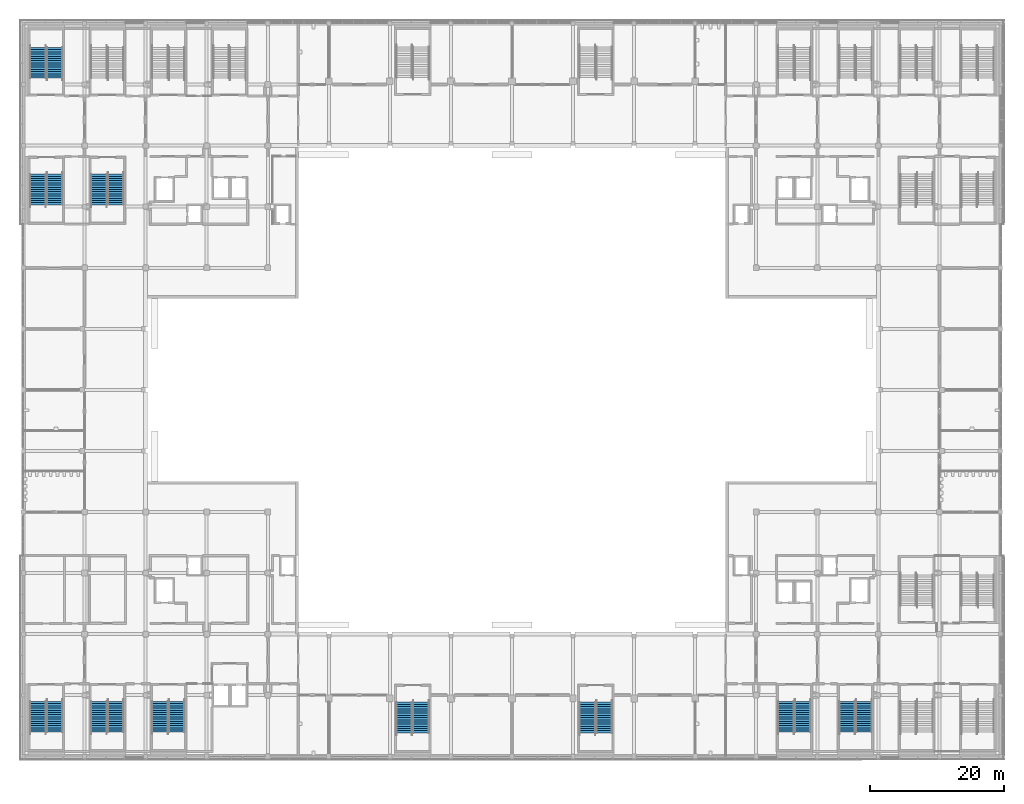
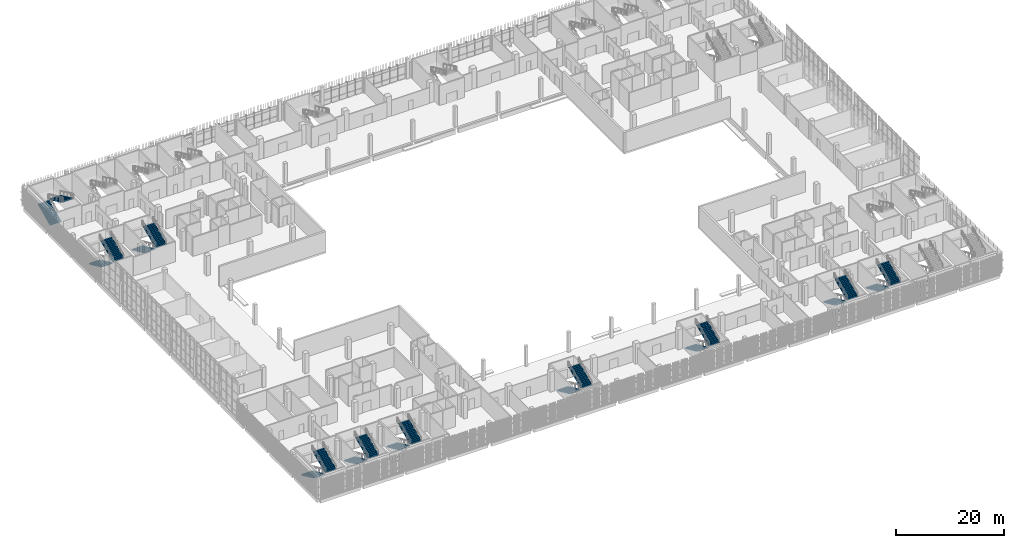
# One storey, part 89 of 126: 20 stair flights, 10 elements without a shape of their own.
"""IFC4 building model written with IfcOpenShell, lengths in metres."""

from ifc_helpers import new_model, si_unit, direction, frame, origin, place, context, subcontext, project, spatial, polyline, outline, extrude, material, type_object, element, aggregate, save


model = new_model("IFC4")

# Units and contexts
model_context = context("Model", 3, precision=1e-05, world=origin(), true_north=direction((0.0, 1.0)))
body_context = subcontext(model_context, "Body", "Model", "MODEL_VIEW")
ifc_project = project(units=[si_unit("LENGTHUNIT", "METRE"), si_unit("AREAUNIT", "SQUARE_METRE"), si_unit("VOLUMEUNIT", "CUBIC_METRE"), si_unit("PLANEANGLEUNIT", "RADIAN"), si_unit("MASSUNIT", "GRAM", prefix="KILO")], contexts=[model_context])

# Site, building, storey
site_placement = place(None, origin())
site = spatial("IfcSite", under=ifc_project, at=site_placement, CompositionType="ELEMENT")
building_placement = place(site_placement, origin())
building = spatial("IfcBuilding", under=site, at=building_placement, Name="Shirokan Park Arena", CompositionType="ELEMENT")
storey_placement = place(building_placement, frame((0.0, 0.0, 6.3701171875)))
storey = spatial("IfcBuildingStorey", under=building, at=storey_placement, Name="L01", CompositionType="ELEMENT", Elevation=6.3701171875)

# Stair, stair flights
ifc_material = material(Name="Concrete C30 precast", Category="concrete")
stair_type = type_object("IfcStairType", Name="Stair 30 risers 152 x 327 2400 wide", PredefinedType="TWO_STRAIGHT_RUN_STAIR", material=ifc_material)
stair_1_placement = place(storey_placement, origin())
stair_1 = element("IfcStair", 1, at=stair_1_placement, inside=storey, type_object=stair_type, Name="Exit Stair 1.A L01 to L02", PredefinedType="TWO_STRAIGHT_RUN_STAIR")
stair_flight_type = type_object("IfcStairFlightType", Name="Stair flight 15 risers 152 x 327 2400 wide", PredefinedType="STRAIGHT", material=ifc_material)
stair_flight_1_placement = place(storey_placement, frame((2.14990234375, 8.14990234375, 0.0), z_axis=(0.0, 0.0, 1.0), x_axis=(0.0, -1.0, 0.0)))
stair_flight_1 = element("IfcStairFlight", 2, at=stair_flight_1_placement, type_object=stair_flight_type, Name="ST01.2 flight 1", NumberOfRisers=15, NumberOfTreads=14, PredefinedType="STRAIGHT", RiserHeight=0.151666667, TreadLength=0.3267, context=body_context, shape_type="SweptSolid", body=[
    extrude(outline(polyline([(0.0, 0.0), (0.0, 0.151611328125), (0.32666015625, 0.151611328125), (0.32666015625, 0.30322265625), (0.6533203125, 0.30322265625), (0.6533203125, 0.455078125), (0.97998046875, 0.455078125), (0.97998046875, 0.606689453125), (1.306884765625, 0.606689453125), (1.306884765625, 0.75830078125), (1.633544921875, 0.75830078125), (1.633544921875, 0.909912109375), (1.960205078125, 0.909912109375), (1.960205078125, 1.061767578125), (2.286865234375, 1.061767578125), (2.286865234375, 1.21337890625), (2.613525390625, 1.21337890625), (2.613525390625, 1.364990234375), (2.940185546875, 1.364990234375), (2.940185546875, 1.5166015625), (3.26708984375, 1.5166015625), (3.26708984375, 1.668212890625), (3.59375, 1.668212890625), (3.59375, 1.820068359375), (3.92041015625, 1.820068359375), (3.92041015625, 1.9716796875), (4.2470703125, 1.9716796875), (4.2470703125, 2.123291015625), (4.57373046875, 2.123291015625), (4.57373046875, 2.27490234375), (4.57373046875, 1.9580078125), (0.35595703125, 0.0), (0.0, 0.0)])), frame((0.0, 1.199951171875, 0.0), z_axis=(0.0, -1.0, 0.0), x_axis=(1.0, 0.0, 0.0)), (0.0, 0.0, 1.0), 2.39990234375),
])
stair_flight_2_placement = place(storey_placement, frame((4.64990234375, 3.576171875, 2.27490234375), z_axis=(0.0, 0.0, 1.0), x_axis=(0.0, 1.0, 0.0)))
stair_flight_2 = element("IfcStairFlight", 3, at=stair_flight_2_placement, type_object=stair_flight_type, Name="ST01.2 flight 2", NumberOfRisers=15, NumberOfTreads=14, PredefinedType="STRAIGHT", RiserHeight=0.151666667, TreadLength=0.3267, context=body_context, shape_type="SweptSolid", body=[
    extrude(outline(polyline([(0.0, 0.0), (0.0, 0.151611328125), (0.32666015625, 0.151611328125), (0.32666015625, 0.30322265625), (0.6533203125, 0.30322265625), (0.6533203125, 0.455078125), (0.97998046875, 0.455078125), (0.97998046875, 0.606689453125), (1.306884765625, 0.606689453125), (1.306884765625, 0.75830078125), (1.633544921875, 0.75830078125), (1.633544921875, 0.909912109375), (1.960205078125, 0.909912109375), (1.960205078125, 1.061767578125), (2.286865234375, 1.061767578125), (2.286865234375, 1.21337890625), (2.613525390625, 1.21337890625), (2.613525390625, 1.364990234375), (2.940185546875, 1.364990234375), (2.940185546875, 1.5166015625), (3.26708984375, 1.5166015625), (3.26708984375, 1.668212890625), (3.59375, 1.668212890625), (3.59375, 1.820068359375), (3.92041015625, 1.820068359375), (3.92041015625, 1.9716796875), (4.2470703125, 1.9716796875), (4.2470703125, 2.123291015625), (4.57373046875, 2.123291015625), (4.57373046875, 2.27490234375), (4.57373046875, 1.9580078125), (0.35595703125, 0.0), (0.0, 0.0)])), frame((0.0, 1.199951171875, 0.0), z_axis=(0.0, -1.0, 0.0), x_axis=(1.0, 0.0, 0.0)), (0.0, 0.0, 1.0), 2.39990234375),
])
aggregate(stair_1, [stair_flight_1, stair_flight_2])

stair_2_placement = place(storey_placement, origin())
stair_2 = element("IfcStair", 4, at=stair_2_placement, inside=storey, type_object=stair_type, Name="Exit Stair 1.B L01 to L02", PredefinedType="TWO_STRAIGHT_RUN_STAIR")
stair_flight_3_placement = place(storey_placement, frame((11.25, 8.14990234375, 0.0), z_axis=(0.0, 0.0, 1.0), x_axis=(0.0, -1.0, 0.0)))
stair_flight_3 = element("IfcStairFlight", 5, at=stair_flight_3_placement, type_object=stair_flight_type, Name="ST02.2 flight 1", NumberOfRisers=15, NumberOfTreads=14, PredefinedType="STRAIGHT", RiserHeight=0.151666667, TreadLength=0.3267, context=body_context, shape_type="SweptSolid", body=[
    extrude(outline(polyline([(0.0, 0.0), (0.0, 0.151611328125), (0.32666015625, 0.151611328125), (0.32666015625, 0.30322265625), (0.6533203125, 0.30322265625), (0.6533203125, 0.455078125), (0.97998046875, 0.455078125), (0.97998046875, 0.606689453125), (1.306884765625, 0.606689453125), (1.306884765625, 0.75830078125), (1.633544921875, 0.75830078125), (1.633544921875, 0.909912109375), (1.960205078125, 0.909912109375), (1.960205078125, 1.061767578125), (2.286865234375, 1.061767578125), (2.286865234375, 1.21337890625), (2.613525390625, 1.21337890625), (2.613525390625, 1.364990234375), (2.940185546875, 1.364990234375), (2.940185546875, 1.5166015625), (3.26708984375, 1.5166015625), (3.26708984375, 1.668212890625), (3.59375, 1.668212890625), (3.59375, 1.820068359375), (3.92041015625, 1.820068359375), (3.92041015625, 1.9716796875), (4.2470703125, 1.9716796875), (4.2470703125, 2.123291015625), (4.57373046875, 2.123291015625), (4.57373046875, 2.27490234375), (4.57373046875, 1.9580078125), (0.35595703125, 0.0), (0.0, 0.0)])), frame((0.0, 1.199951171875, 0.0), z_axis=(0.0, -1.0, 0.0), x_axis=(1.0, 0.0, 0.0)), (0.0, 0.0, 1.0), 2.39990234375),
])
stair_flight_4_placement = place(storey_placement, frame((13.75, 3.576171875, 2.27490234375), z_axis=(0.0, 0.0, 1.0), x_axis=(0.0, 1.0, 0.0)))
stair_flight_4 = element("IfcStairFlight", 6, at=stair_flight_4_placement, type_object=stair_flight_type, Name="ST02.2 flight 2", NumberOfRisers=15, NumberOfTreads=14, PredefinedType="STRAIGHT", RiserHeight=0.151666667, TreadLength=0.3267, context=body_context, shape_type="SweptSolid", body=[
    extrude(outline(polyline([(0.0, 0.0), (0.0, 0.151611328125), (0.32666015625, 0.151611328125), (0.32666015625, 0.30322265625), (0.6533203125, 0.30322265625), (0.6533203125, 0.455078125), (0.97998046875, 0.455078125), (0.97998046875, 0.606689453125), (1.306884765625, 0.606689453125), (1.306884765625, 0.75830078125), (1.633544921875, 0.75830078125), (1.633544921875, 0.909912109375), (1.960205078125, 0.909912109375), (1.960205078125, 1.061767578125), (2.286865234375, 1.061767578125), (2.286865234375, 1.21337890625), (2.613525390625, 1.21337890625), (2.613525390625, 1.364990234375), (2.940185546875, 1.364990234375), (2.940185546875, 1.5166015625), (3.26708984375, 1.5166015625), (3.26708984375, 1.668212890625), (3.59375, 1.668212890625), (3.59375, 1.820068359375), (3.92041015625, 1.820068359375), (3.92041015625, 1.9716796875), (4.2470703125, 1.9716796875), (4.2470703125, 2.123291015625), (4.57373046875, 2.123291015625), (4.57373046875, 2.27490234375), (4.57373046875, 1.9580078125), (0.35595703125, 0.0), (0.0, 0.0)])), frame((0.0, 1.199951171875, 0.0), z_axis=(0.0, -1.0, 0.0), x_axis=(1.0, 0.0, 0.0)), (0.0, 0.0, 1.0), 2.39990234375),
])
aggregate(stair_2, [stair_flight_3, stair_flight_4])

stair_3_placement = place(storey_placement, origin())
stair_3 = element("IfcStair", 7, at=stair_3_placement, inside=storey, type_object=stair_type, Name="Exit Stair 1.C L01 to L02", PredefinedType="TWO_STRAIGHT_RUN_STAIR")
stair_flight_5_placement = place(storey_placement, frame((20.35009765625, 8.14990234375, 0.0), z_axis=(0.0, 0.0, 1.0), x_axis=(0.0, -1.0, 0.0)))
stair_flight_5 = element("IfcStairFlight", 8, at=stair_flight_5_placement, type_object=stair_flight_type, Name="ST03.2 flight 1", NumberOfRisers=15, NumberOfTreads=14, PredefinedType="STRAIGHT", RiserHeight=0.151666667, TreadLength=0.3267, context=body_context, shape_type="SweptSolid", body=[
    extrude(outline(polyline([(0.0, 0.0), (0.0, 0.151611328125), (0.32666015625, 0.151611328125), (0.32666015625, 0.30322265625), (0.6533203125, 0.30322265625), (0.6533203125, 0.455078125), (0.97998046875, 0.455078125), (0.97998046875, 0.606689453125), (1.306884765625, 0.606689453125), (1.306884765625, 0.75830078125), (1.633544921875, 0.75830078125), (1.633544921875, 0.909912109375), (1.960205078125, 0.909912109375), (1.960205078125, 1.061767578125), (2.286865234375, 1.061767578125), (2.286865234375, 1.21337890625), (2.613525390625, 1.21337890625), (2.613525390625, 1.364990234375), (2.940185546875, 1.364990234375), (2.940185546875, 1.5166015625), (3.26708984375, 1.5166015625), (3.26708984375, 1.668212890625), (3.59375, 1.668212890625), (3.59375, 1.820068359375), (3.92041015625, 1.820068359375), (3.92041015625, 1.9716796875), (4.2470703125, 1.9716796875), (4.2470703125, 2.123291015625), (4.57373046875, 2.123291015625), (4.57373046875, 2.27490234375), (4.57373046875, 1.9580078125), (0.35595703125, 0.0), (0.0, 0.0)])), frame((0.0, 1.199951171875, 0.0), z_axis=(0.0, -1.0, 0.0), x_axis=(1.0, 0.0, 0.0)), (0.0, 0.0, 1.0), 2.39990234375),
])
stair_flight_6_placement = place(storey_placement, frame((22.85009765625, 3.576171875, 2.27490234375), z_axis=(0.0, 0.0, 1.0), x_axis=(0.0, 1.0, 0.0)))
stair_flight_6 = element("IfcStairFlight", 9, at=stair_flight_6_placement, type_object=stair_flight_type, Name="ST03.2 flight 2", NumberOfRisers=15, NumberOfTreads=14, PredefinedType="STRAIGHT", RiserHeight=0.151666667, TreadLength=0.3267, context=body_context, shape_type="SweptSolid", body=[
    extrude(outline(polyline([(0.0, 0.0), (0.0, 0.151611328125), (0.32666015625, 0.151611328125), (0.32666015625, 0.30322265625), (0.6533203125, 0.30322265625), (0.6533203125, 0.455078125), (0.97998046875, 0.455078125), (0.97998046875, 0.606689453125), (1.306884765625, 0.606689453125), (1.306884765625, 0.75830078125), (1.633544921875, 0.75830078125), (1.633544921875, 0.909912109375), (1.960205078125, 0.909912109375), (1.960205078125, 1.061767578125), (2.286865234375, 1.061767578125), (2.286865234375, 1.21337890625), (2.613525390625, 1.21337890625), (2.613525390625, 1.364990234375), (2.940185546875, 1.364990234375), (2.940185546875, 1.5166015625), (3.26708984375, 1.5166015625), (3.26708984375, 1.668212890625), (3.59375, 1.668212890625), (3.59375, 1.820068359375), (3.92041015625, 1.820068359375), (3.92041015625, 1.9716796875), (4.2470703125, 1.9716796875), (4.2470703125, 2.123291015625), (4.57373046875, 2.123291015625), (4.57373046875, 2.27490234375), (4.57373046875, 1.9580078125), (0.35595703125, 0.0), (0.0, 0.0)])), frame((0.0, 1.199951171875, 0.0), z_axis=(0.0, -1.0, 0.0), x_axis=(1.0, 0.0, 0.0)), (0.0, 0.0, 1.0), 2.39990234375),
])
aggregate(stair_3, [stair_flight_5, stair_flight_6])

stair_4_placement = place(storey_placement, origin())
stair_4 = element("IfcStair", 10, at=stair_4_placement, inside=storey, type_object=stair_type, Name="Exit Stair 2.C L01 to L02", PredefinedType="TWO_STRAIGHT_RUN_STAIR")
stair_flight_7_placement = place(storey_placement, frame((122.75, 8.14990234375, 0.0), z_axis=(0.0, 0.0, 1.0), x_axis=(0.0, -1.0, 0.0)))
stair_flight_7 = element("IfcStairFlight", 11, at=stair_flight_7_placement, type_object=stair_flight_type, Name="ST06.2 flight 1", NumberOfRisers=15, NumberOfTreads=14, PredefinedType="STRAIGHT", RiserHeight=0.151666667, TreadLength=0.3267, context=body_context, shape_type="SweptSolid", body=[
    extrude(outline(polyline([(0.0, 0.0), (0.0, 0.151611328125), (0.32666015625, 0.151611328125), (0.32666015625, 0.30322265625), (0.6533203125, 0.30322265625), (0.6533203125, 0.455078125), (0.97998046875, 0.455078125), (0.97998046875, 0.606689453125), (1.306884765625, 0.606689453125), (1.306884765625, 0.75830078125), (1.633544921875, 0.75830078125), (1.633544921875, 0.909912109375), (1.960205078125, 0.909912109375), (1.960205078125, 1.061767578125), (2.286865234375, 1.061767578125), (2.286865234375, 1.21337890625), (2.613525390625, 1.21337890625), (2.613525390625, 1.364990234375), (2.940185546875, 1.364990234375), (2.940185546875, 1.5166015625), (3.26708984375, 1.5166015625), (3.26708984375, 1.668212890625), (3.59375, 1.668212890625), (3.59375, 1.820068359375), (3.92041015625, 1.820068359375), (3.92041015625, 1.9716796875), (4.2470703125, 1.9716796875), (4.2470703125, 2.123291015625), (4.57373046875, 2.123291015625), (4.57373046875, 2.27490234375), (4.57373046875, 1.9580078125), (0.35595703125, 0.0), (0.0, 0.0)])), frame((0.0, 1.199951171875, 0.0), z_axis=(0.0, -1.0, 0.0), x_axis=(1.0, 0.0, 0.0)), (0.0, 0.0, 1.0), 2.39990234375),
])
stair_flight_8_placement = place(storey_placement, frame((125.25, 3.576171875, 2.27490234375), z_axis=(0.0, 0.0, 1.0), x_axis=(0.0, 1.0, 0.0)))
stair_flight_8 = element("IfcStairFlight", 12, at=stair_flight_8_placement, type_object=stair_flight_type, Name="ST06.2 flight 2", NumberOfRisers=15, NumberOfTreads=14, PredefinedType="STRAIGHT", RiserHeight=0.151666667, TreadLength=0.3267, context=body_context, shape_type="SweptSolid", body=[
    extrude(outline(polyline([(0.0, 0.0), (0.0, 0.151611328125), (0.32666015625, 0.151611328125), (0.32666015625, 0.30322265625), (0.6533203125, 0.30322265625), (0.6533203125, 0.455078125), (0.97998046875, 0.455078125), (0.97998046875, 0.606689453125), (1.306884765625, 0.606689453125), (1.306884765625, 0.75830078125), (1.633544921875, 0.75830078125), (1.633544921875, 0.909912109375), (1.960205078125, 0.909912109375), (1.960205078125, 1.061767578125), (2.286865234375, 1.061767578125), (2.286865234375, 1.21337890625), (2.613525390625, 1.21337890625), (2.613525390625, 1.364990234375), (2.940185546875, 1.364990234375), (2.940185546875, 1.5166015625), (3.26708984375, 1.5166015625), (3.26708984375, 1.668212890625), (3.59375, 1.668212890625), (3.59375, 1.820068359375), (3.92041015625, 1.820068359375), (3.92041015625, 1.9716796875), (4.2470703125, 1.9716796875), (4.2470703125, 2.123291015625), (4.57373046875, 2.123291015625), (4.57373046875, 2.27490234375), (4.57373046875, 1.9580078125), (0.35595703125, 0.0), (0.0, 0.0)])), frame((0.0, 1.199951171875, 0.0), z_axis=(0.0, -1.0, 0.0), x_axis=(1.0, 0.0, 0.0)), (0.0, 0.0, 1.0), 2.39990234375),
])
aggregate(stair_4, [stair_flight_7, stair_flight_8])

stair_5_placement = place(storey_placement, origin())
stair_5 = element("IfcStair", 13, at=stair_5_placement, inside=storey, type_object=stair_type, Name="Exit Stair 2.D L01 to L02", PredefinedType="TWO_STRAIGHT_RUN_STAIR")
stair_flight_9_placement = place(storey_placement, frame((113.64990234375, 8.14990234375, 0.0), z_axis=(0.0, 0.0, 1.0), x_axis=(0.0, -1.0, 0.0)))
stair_flight_9 = element("IfcStairFlight", 14, at=stair_flight_9_placement, type_object=stair_flight_type, Name="ST07.2 flight 1", NumberOfRisers=15, NumberOfTreads=14, PredefinedType="STRAIGHT", RiserHeight=0.151666667, TreadLength=0.3267, context=body_context, shape_type="SweptSolid", body=[
    extrude(outline(polyline([(0.0, 0.0), (0.0, 0.151611328125), (0.32666015625, 0.151611328125), (0.32666015625, 0.30322265625), (0.6533203125, 0.30322265625), (0.6533203125, 0.455078125), (0.97998046875, 0.455078125), (0.97998046875, 0.606689453125), (1.306884765625, 0.606689453125), (1.306884765625, 0.75830078125), (1.633544921875, 0.75830078125), (1.633544921875, 0.909912109375), (1.960205078125, 0.909912109375), (1.960205078125, 1.061767578125), (2.286865234375, 1.061767578125), (2.286865234375, 1.21337890625), (2.613525390625, 1.21337890625), (2.613525390625, 1.364990234375), (2.940185546875, 1.364990234375), (2.940185546875, 1.5166015625), (3.26708984375, 1.5166015625), (3.26708984375, 1.668212890625), (3.59375, 1.668212890625), (3.59375, 1.820068359375), (3.92041015625, 1.820068359375), (3.92041015625, 1.9716796875), (4.2470703125, 1.9716796875), (4.2470703125, 2.123291015625), (4.57373046875, 2.123291015625), (4.57373046875, 2.27490234375), (4.57373046875, 1.9580078125), (0.35595703125, 0.0), (0.0, 0.0)])), frame((0.0, 1.199951171875, 0.0), z_axis=(0.0, -1.0, 0.0), x_axis=(1.0, 0.0, 0.0)), (0.0, 0.0, 1.0), 2.39990234375),
])
stair_flight_10_placement = place(storey_placement, frame((116.14990234375, 3.576171875, 2.27490234375), z_axis=(0.0, 0.0, 1.0), x_axis=(0.0, 1.0, 0.0)))
stair_flight_10 = element("IfcStairFlight", 15, at=stair_flight_10_placement, type_object=stair_flight_type, Name="ST07.2 flight 2", NumberOfRisers=15, NumberOfTreads=14, PredefinedType="STRAIGHT", RiserHeight=0.151666667, TreadLength=0.3267, context=body_context, shape_type="SweptSolid", body=[
    extrude(outline(polyline([(0.0, 0.0), (0.0, 0.151611328125), (0.32666015625, 0.151611328125), (0.32666015625, 0.30322265625), (0.6533203125, 0.30322265625), (0.6533203125, 0.455078125), (0.97998046875, 0.455078125), (0.97998046875, 0.606689453125), (1.306884765625, 0.606689453125), (1.306884765625, 0.75830078125), (1.633544921875, 0.75830078125), (1.633544921875, 0.909912109375), (1.960205078125, 0.909912109375), (1.960205078125, 1.061767578125), (2.286865234375, 1.061767578125), (2.286865234375, 1.21337890625), (2.613525390625, 1.21337890625), (2.613525390625, 1.364990234375), (2.940185546875, 1.364990234375), (2.940185546875, 1.5166015625), (3.26708984375, 1.5166015625), (3.26708984375, 1.668212890625), (3.59375, 1.668212890625), (3.59375, 1.820068359375), (3.92041015625, 1.820068359375), (3.92041015625, 1.9716796875), (4.2470703125, 1.9716796875), (4.2470703125, 2.123291015625), (4.57373046875, 2.123291015625), (4.57373046875, 2.27490234375), (4.57373046875, 1.9580078125), (0.35595703125, 0.0), (0.0, 0.0)])), frame((0.0, 1.199951171875, 0.0), z_axis=(0.0, -1.0, 0.0), x_axis=(1.0, 0.0, 0.0)), (0.0, 0.0, 1.0), 2.39990234375),
])
aggregate(stair_5, [stair_flight_9, stair_flight_10])

stair_6_placement = place(storey_placement, origin())
stair_6 = element("IfcStair", 16, at=stair_6_placement, inside=storey, type_object=stair_type, Name="Exit Stair 4.A L01 to L02", PredefinedType="TWO_STRAIGHT_RUN_STAIR")
stair_flight_11_placement = place(storey_placement, frame((2.14990234375, 101.050048828125, 0.0), z_axis=(0.0, 0.0, 1.0), x_axis=(0.0, 1.0, 0.0)))
stair_flight_11 = element("IfcStairFlight", 17, at=stair_flight_11_placement, type_object=stair_flight_type, Name="ST10.2 flight 1", NumberOfRisers=15, NumberOfTreads=14, PredefinedType="STRAIGHT", RiserHeight=0.151666667, TreadLength=0.3267, context=body_context, shape_type="SweptSolid", body=[
    extrude(outline(polyline([(0.0, 0.0), (0.0, 0.151611328125), (0.32666015625, 0.151611328125), (0.32666015625, 0.30322265625), (0.6533203125, 0.30322265625), (0.6533203125, 0.455078125), (0.97998046875, 0.455078125), (0.97998046875, 0.606689453125), (1.306884765625, 0.606689453125), (1.306884765625, 0.75830078125), (1.633544921875, 0.75830078125), (1.633544921875, 0.909912109375), (1.960205078125, 0.909912109375), (1.960205078125, 1.061767578125), (2.286865234375, 1.061767578125), (2.286865234375, 1.21337890625), (2.613525390625, 1.21337890625), (2.613525390625, 1.364990234375), (2.940185546875, 1.364990234375), (2.940185546875, 1.5166015625), (3.26708984375, 1.5166015625), (3.26708984375, 1.668212890625), (3.59375, 1.668212890625), (3.59375, 1.820068359375), (3.92041015625, 1.820068359375), (3.92041015625, 1.9716796875), (4.2470703125, 1.9716796875), (4.2470703125, 2.123291015625), (4.57373046875, 2.123291015625), (4.57373046875, 2.27490234375), (4.57373046875, 1.9580078125), (0.35595703125, 0.0), (0.0, 0.0)])), frame((0.0, 1.199951171875, 0.0), z_axis=(0.0, -1.0, 0.0), x_axis=(1.0, 0.0, 0.0)), (0.0, 0.0, 1.0), 2.39990234375),
])
stair_flight_12_placement = place(storey_placement, frame((4.64990234375, 105.623779296875, 2.27490234375), z_axis=(0.0, 0.0, 1.0), x_axis=(0.0, -1.0, 0.0)))
stair_flight_12 = element("IfcStairFlight", 18, at=stair_flight_12_placement, type_object=stair_flight_type, Name="ST10.2 flight 2", NumberOfRisers=15, NumberOfTreads=14, PredefinedType="STRAIGHT", RiserHeight=0.151666667, TreadLength=0.3267, context=body_context, shape_type="SweptSolid", body=[
    extrude(outline(polyline([(0.0, 0.0), (0.0, 0.151611328125), (0.32666015625, 0.151611328125), (0.32666015625, 0.30322265625), (0.6533203125, 0.30322265625), (0.6533203125, 0.455078125), (0.97998046875, 0.455078125), (0.97998046875, 0.606689453125), (1.306884765625, 0.606689453125), (1.306884765625, 0.75830078125), (1.633544921875, 0.75830078125), (1.633544921875, 0.909912109375), (1.960205078125, 0.909912109375), (1.960205078125, 1.061767578125), (2.286865234375, 1.061767578125), (2.286865234375, 1.21337890625), (2.613525390625, 1.21337890625), (2.613525390625, 1.364990234375), (2.940185546875, 1.364990234375), (2.940185546875, 1.5166015625), (3.26708984375, 1.5166015625), (3.26708984375, 1.668212890625), (3.59375, 1.668212890625), (3.59375, 1.820068359375), (3.92041015625, 1.820068359375), (3.92041015625, 1.9716796875), (4.2470703125, 1.9716796875), (4.2470703125, 2.123291015625), (4.57373046875, 2.123291015625), (4.57373046875, 2.27490234375), (4.57373046875, 1.9580078125), (0.35595703125, 0.0), (0.0, 0.0)])), frame((0.0, 1.199951171875, 0.0), z_axis=(0.0, -1.0, 0.0), x_axis=(1.0, 0.0, 0.0)), (0.0, 0.0, 1.0), 2.39990234375),
])
aggregate(stair_6, [stair_flight_11, stair_flight_12])

stair_7_placement = place(storey_placement, origin())
stair_7 = element("IfcStair", 19, at=stair_7_placement, inside=storey, type_object=stair_type, Name="Exit Stair 4.E L01 to L02", PredefinedType="TWO_STRAIGHT_RUN_STAIR")
stair_flight_13_placement = place(storey_placement, frame((2.14990234375, 86.75, 0.0), z_axis=(0.0, 0.0, 1.0), x_axis=(0.0, -1.0, 0.0)))
stair_flight_13 = element("IfcStairFlight", 20, at=stair_flight_13_placement, type_object=stair_flight_type, Name="ST14.2 flight 1", NumberOfRisers=15, NumberOfTreads=14, PredefinedType="STRAIGHT", RiserHeight=0.151666667, TreadLength=0.3267, context=body_context, shape_type="SweptSolid", body=[
    extrude(outline(polyline([(0.0, 0.0), (0.0, 0.151611328125), (0.32666015625, 0.151611328125), (0.32666015625, 0.30322265625), (0.6533203125, 0.30322265625), (0.6533203125, 0.455078125), (0.97998046875, 0.455078125), (0.97998046875, 0.606689453125), (1.306884765625, 0.606689453125), (1.306884765625, 0.75830078125), (1.633544921875, 0.75830078125), (1.633544921875, 0.909912109375), (1.960205078125, 0.909912109375), (1.960205078125, 1.061767578125), (2.286865234375, 1.061767578125), (2.286865234375, 1.21337890625), (2.613525390625, 1.21337890625), (2.613525390625, 1.364990234375), (2.940185546875, 1.364990234375), (2.940185546875, 1.5166015625), (3.26708984375, 1.5166015625), (3.26708984375, 1.668212890625), (3.59375, 1.668212890625), (3.59375, 1.820068359375), (3.92041015625, 1.820068359375), (3.92041015625, 1.9716796875), (4.2470703125, 1.9716796875), (4.2470703125, 2.123291015625), (4.57373046875, 2.123291015625), (4.57373046875, 2.27490234375), (4.57373046875, 1.9580078125), (0.35595703125, 0.0), (0.0, 0.0)])), frame((0.0, 1.199951171875, 0.0), z_axis=(0.0, -1.0, 0.0), x_axis=(1.0, 0.0, 0.0)), (0.0, 0.0, 1.0), 2.39990234375),
])
stair_flight_14_placement = place(storey_placement, frame((4.64990234375, 82.17626953125, 2.27490234375), z_axis=(0.0, 0.0, 1.0), x_axis=(0.0, 1.0, 0.0)))
stair_flight_14 = element("IfcStairFlight", 21, at=stair_flight_14_placement, type_object=stair_flight_type, Name="ST14.2 flight 2", NumberOfRisers=15, NumberOfTreads=14, PredefinedType="STRAIGHT", RiserHeight=0.151666667, TreadLength=0.3267, context=body_context, shape_type="SweptSolid", body=[
    extrude(outline(polyline([(0.0, 0.0), (0.0, 0.151611328125), (0.32666015625, 0.151611328125), (0.32666015625, 0.30322265625), (0.6533203125, 0.30322265625), (0.6533203125, 0.455078125), (0.97998046875, 0.455078125), (0.97998046875, 0.606689453125), (1.306884765625, 0.606689453125), (1.306884765625, 0.75830078125), (1.633544921875, 0.75830078125), (1.633544921875, 0.909912109375), (1.960205078125, 0.909912109375), (1.960205078125, 1.061767578125), (2.286865234375, 1.061767578125), (2.286865234375, 1.21337890625), (2.613525390625, 1.21337890625), (2.613525390625, 1.364990234375), (2.940185546875, 1.364990234375), (2.940185546875, 1.5166015625), (3.26708984375, 1.5166015625), (3.26708984375, 1.668212890625), (3.59375, 1.668212890625), (3.59375, 1.820068359375), (3.92041015625, 1.820068359375), (3.92041015625, 1.9716796875), (4.2470703125, 1.9716796875), (4.2470703125, 2.123291015625), (4.57373046875, 2.123291015625), (4.57373046875, 2.27490234375), (4.57373046875, 1.9580078125), (0.35595703125, 0.0), (0.0, 0.0)])), frame((0.0, 1.199951171875, 0.0), z_axis=(0.0, -1.0, 0.0), x_axis=(1.0, 0.0, 0.0)), (0.0, 0.0, 1.0), 2.39990234375),
])
aggregate(stair_7, [stair_flight_13, stair_flight_14])

stair_8_placement = place(storey_placement, origin())
stair_8 = element("IfcStair", 22, at=stair_8_placement, inside=storey, type_object=stair_type, Name="Exit Stair 4.F L01 to L02", PredefinedType="TWO_STRAIGHT_RUN_STAIR")
stair_flight_15_placement = place(storey_placement, frame((11.25, 86.75, 0.0), z_axis=(0.0, 0.0, 1.0), x_axis=(0.0, -1.0, 0.0)))
stair_flight_15 = element("IfcStairFlight", 23, at=stair_flight_15_placement, type_object=stair_flight_type, Name="ST15.2 flight 1", NumberOfRisers=15, NumberOfTreads=14, PredefinedType="STRAIGHT", RiserHeight=0.151666667, TreadLength=0.3267, context=body_context, shape_type="SweptSolid", body=[
    extrude(outline(polyline([(0.0, 0.0), (0.0, 0.151611328125), (0.32666015625, 0.151611328125), (0.32666015625, 0.30322265625), (0.6533203125, 0.30322265625), (0.6533203125, 0.455078125), (0.97998046875, 0.455078125), (0.97998046875, 0.606689453125), (1.306884765625, 0.606689453125), (1.306884765625, 0.75830078125), (1.633544921875, 0.75830078125), (1.633544921875, 0.909912109375), (1.960205078125, 0.909912109375), (1.960205078125, 1.061767578125), (2.286865234375, 1.061767578125), (2.286865234375, 1.21337890625), (2.613525390625, 1.21337890625), (2.613525390625, 1.364990234375), (2.940185546875, 1.364990234375), (2.940185546875, 1.5166015625), (3.26708984375, 1.5166015625), (3.26708984375, 1.668212890625), (3.59375, 1.668212890625), (3.59375, 1.820068359375), (3.92041015625, 1.820068359375), (3.92041015625, 1.9716796875), (4.2470703125, 1.9716796875), (4.2470703125, 2.123291015625), (4.57373046875, 2.123291015625), (4.57373046875, 2.27490234375), (4.57373046875, 1.9580078125), (0.35595703125, 0.0), (0.0, 0.0)])), frame((0.0, 1.199951171875, 0.0), z_axis=(0.0, -1.0, 0.0), x_axis=(1.0, 0.0, 0.0)), (0.0, 0.0, 1.0), 2.39990234375),
])
stair_flight_16_placement = place(storey_placement, frame((13.75, 82.17626953125, 2.27490234375), z_axis=(0.0, 0.0, 1.0), x_axis=(0.0, 1.0, 0.0)))
stair_flight_16 = element("IfcStairFlight", 24, at=stair_flight_16_placement, type_object=stair_flight_type, Name="ST15.2 flight 2", NumberOfRisers=15, NumberOfTreads=14, PredefinedType="STRAIGHT", RiserHeight=0.151666667, TreadLength=0.3267, context=body_context, shape_type="SweptSolid", body=[
    extrude(outline(polyline([(0.0, 0.0), (0.0, 0.151611328125), (0.32666015625, 0.151611328125), (0.32666015625, 0.30322265625), (0.6533203125, 0.30322265625), (0.6533203125, 0.455078125), (0.97998046875, 0.455078125), (0.97998046875, 0.606689453125), (1.306884765625, 0.606689453125), (1.306884765625, 0.75830078125), (1.633544921875, 0.75830078125), (1.633544921875, 0.909912109375), (1.960205078125, 0.909912109375), (1.960205078125, 1.061767578125), (2.286865234375, 1.061767578125), (2.286865234375, 1.21337890625), (2.613525390625, 1.21337890625), (2.613525390625, 1.364990234375), (2.940185546875, 1.364990234375), (2.940185546875, 1.5166015625), (3.26708984375, 1.5166015625), (3.26708984375, 1.668212890625), (3.59375, 1.668212890625), (3.59375, 1.820068359375), (3.92041015625, 1.820068359375), (3.92041015625, 1.9716796875), (4.2470703125, 1.9716796875), (4.2470703125, 2.123291015625), (4.57373046875, 2.123291015625), (4.57373046875, 2.27490234375), (4.57373046875, 1.9580078125), (0.35595703125, 0.0), (0.0, 0.0)])), frame((0.0, 1.199951171875, 0.0), z_axis=(0.0, -1.0, 0.0), x_axis=(1.0, 0.0, 0.0)), (0.0, 0.0, 1.0), 2.39990234375),
])
aggregate(stair_8, [stair_flight_15, stair_flight_16])

stair_9_placement = place(storey_placement, origin())
stair_9 = element("IfcStair", 25, at=stair_9_placement, inside=storey, type_object=stair_type, Name="Entrance Stair E1.1 L01 to L02", PredefinedType="TWO_STRAIGHT_RUN_STAIR")
stair_flight_17_placement = place(storey_placement, frame((56.75, 8.050048828125, 0.0), z_axis=(0.0, 0.0, 1.0), x_axis=(0.0, -1.0, 0.0)))
stair_flight_17 = element("IfcStairFlight", 26, at=stair_flight_17_placement, type_object=stair_flight_type, Name="ST24.2 flight 1", NumberOfRisers=15, NumberOfTreads=14, PredefinedType="STRAIGHT", RiserHeight=0.151666667, TreadLength=0.3267, context=body_context, shape_type="SweptSolid", body=[
    extrude(outline(polyline([(0.0, 0.0), (0.0, 0.151611328125), (0.32666015625, 0.151611328125), (0.32666015625, 0.30322265625), (0.6533203125, 0.30322265625), (0.6533203125, 0.455078125), (0.97998046875, 0.455078125), (0.97998046875, 0.606689453125), (1.306884765625, 0.606689453125), (1.306884765625, 0.75830078125), (1.633544921875, 0.75830078125), (1.633544921875, 0.909912109375), (1.960205078125, 0.909912109375), (1.960205078125, 1.061767578125), (2.286865234375, 1.061767578125), (2.286865234375, 1.21337890625), (2.613525390625, 1.21337890625), (2.613525390625, 1.364990234375), (2.940185546875, 1.364990234375), (2.940185546875, 1.5166015625), (3.26708984375, 1.5166015625), (3.26708984375, 1.668212890625), (3.59375, 1.668212890625), (3.59375, 1.820068359375), (3.92041015625, 1.820068359375), (3.92041015625, 1.9716796875), (4.2470703125, 1.9716796875), (4.2470703125, 2.123291015625), (4.57373046875, 2.123291015625), (4.57373046875, 2.27490234375), (4.57373046875, 1.9580078125), (0.35595703125, 0.0), (0.0, 0.0)])), frame((0.0, 1.199951171875, 0.0), z_axis=(0.0, -1.0, 0.0), x_axis=(1.0, 0.0, 0.0)), (0.0, 0.0, 1.0), 2.39990234375),
])
stair_flight_18_placement = place(storey_placement, frame((59.25, 3.476318359375, 2.27490234375), z_axis=(0.0, 0.0, 1.0), x_axis=(0.0, 1.0, 0.0)))
stair_flight_18 = element("IfcStairFlight", 27, at=stair_flight_18_placement, type_object=stair_flight_type, Name="ST24.2 flight 2", NumberOfRisers=15, NumberOfTreads=14, PredefinedType="STRAIGHT", RiserHeight=0.151666667, TreadLength=0.3267, context=body_context, shape_type="SweptSolid", body=[
    extrude(outline(polyline([(0.0, 0.0), (0.0, 0.151611328125), (0.32666015625, 0.151611328125), (0.32666015625, 0.30322265625), (0.6533203125, 0.30322265625), (0.6533203125, 0.455078125), (0.97998046875, 0.455078125), (0.97998046875, 0.606689453125), (1.306884765625, 0.606689453125), (1.306884765625, 0.75830078125), (1.633544921875, 0.75830078125), (1.633544921875, 0.909912109375), (1.960205078125, 0.909912109375), (1.960205078125, 1.061767578125), (2.286865234375, 1.061767578125), (2.286865234375, 1.21337890625), (2.613525390625, 1.21337890625), (2.613525390625, 1.364990234375), (2.940185546875, 1.364990234375), (2.940185546875, 1.5166015625), (3.26708984375, 1.5166015625), (3.26708984375, 1.668212890625), (3.59375, 1.668212890625), (3.59375, 1.820068359375), (3.92041015625, 1.820068359375), (3.92041015625, 1.9716796875), (4.2470703125, 1.9716796875), (4.2470703125, 2.123291015625), (4.57373046875, 2.123291015625), (4.57373046875, 2.27490234375), (4.57373046875, 1.9580078125), (0.35595703125, 0.0), (0.0, 0.0)])), frame((0.0, 1.199951171875, 0.0), z_axis=(0.0, -1.0, 0.0), x_axis=(1.0, 0.0, 0.0)), (0.0, 0.0, 1.0), 2.39990234375),
])
aggregate(stair_9, [stair_flight_17, stair_flight_18])

stair_10_placement = place(storey_placement, origin())
stair_10 = element("IfcStair", 28, at=stair_10_placement, inside=storey, type_object=stair_type, Name="Entrance Stair E1.2 L01 to L02", PredefinedType="TWO_STRAIGHT_RUN_STAIR")
stair_flight_19_placement = place(storey_placement, frame((84.050048828125, 8.050048828125, 0.0), z_axis=(0.0, 0.0, 1.0), x_axis=(0.0, -1.0, 0.0)))
stair_flight_19 = element("IfcStairFlight", 29, at=stair_flight_19_placement, type_object=stair_flight_type, Name="ST25.2 flight 1", NumberOfRisers=15, NumberOfTreads=14, PredefinedType="STRAIGHT", RiserHeight=0.151666667, TreadLength=0.3267, context=body_context, shape_type="SweptSolid", body=[
    extrude(outline(polyline([(0.0, 0.0), (0.0, 0.151611328125), (0.32666015625, 0.151611328125), (0.32666015625, 0.30322265625), (0.6533203125, 0.30322265625), (0.6533203125, 0.455078125), (0.97998046875, 0.455078125), (0.97998046875, 0.606689453125), (1.306884765625, 0.606689453125), (1.306884765625, 0.75830078125), (1.633544921875, 0.75830078125), (1.633544921875, 0.909912109375), (1.960205078125, 0.909912109375), (1.960205078125, 1.061767578125), (2.286865234375, 1.061767578125), (2.286865234375, 1.21337890625), (2.613525390625, 1.21337890625), (2.613525390625, 1.364990234375), (2.940185546875, 1.364990234375), (2.940185546875, 1.5166015625), (3.26708984375, 1.5166015625), (3.26708984375, 1.668212890625), (3.59375, 1.668212890625), (3.59375, 1.820068359375), (3.92041015625, 1.820068359375), (3.92041015625, 1.9716796875), (4.2470703125, 1.9716796875), (4.2470703125, 2.123291015625), (4.57373046875, 2.123291015625), (4.57373046875, 2.27490234375), (4.57373046875, 1.9580078125), (0.35595703125, 0.0), (0.0, 0.0)])), frame((0.0, 1.199951171875, 0.0), z_axis=(0.0, -1.0, 0.0), x_axis=(1.0, 0.0, 0.0)), (0.0, 0.0, 1.0), 2.39990234375),
])
stair_flight_20_placement = place(storey_placement, frame((86.550048828125, 3.476318359375, 2.27490234375), z_axis=(0.0, 0.0, 1.0), x_axis=(0.0, 1.0, 0.0)))
stair_flight_20 = element("IfcStairFlight", 30, at=stair_flight_20_placement, type_object=stair_flight_type, Name="ST25.2 flight 2", NumberOfRisers=15, NumberOfTreads=14, PredefinedType="STRAIGHT", RiserHeight=0.151666667, TreadLength=0.3267, context=body_context, shape_type="SweptSolid", body=[
    extrude(outline(polyline([(0.0, 0.0), (0.0, 0.151611328125), (0.32666015625, 0.151611328125), (0.32666015625, 0.30322265625), (0.6533203125, 0.30322265625), (0.6533203125, 0.455078125), (0.97998046875, 0.455078125), (0.97998046875, 0.606689453125), (1.306884765625, 0.606689453125), (1.306884765625, 0.75830078125), (1.633544921875, 0.75830078125), (1.633544921875, 0.909912109375), (1.960205078125, 0.909912109375), (1.960205078125, 1.061767578125), (2.286865234375, 1.061767578125), (2.286865234375, 1.21337890625), (2.613525390625, 1.21337890625), (2.613525390625, 1.364990234375), (2.940185546875, 1.364990234375), (2.940185546875, 1.5166015625), (3.26708984375, 1.5166015625), (3.26708984375, 1.668212890625), (3.59375, 1.668212890625), (3.59375, 1.820068359375), (3.92041015625, 1.820068359375), (3.92041015625, 1.9716796875), (4.2470703125, 1.9716796875), (4.2470703125, 2.123291015625), (4.57373046875, 2.123291015625), (4.57373046875, 2.27490234375), (4.57373046875, 1.9580078125), (0.35595703125, 0.0), (0.0, 0.0)])), frame((0.0, 1.199951171875, 0.0), z_axis=(0.0, -1.0, 0.0), x_axis=(1.0, 0.0, 0.0)), (0.0, 0.0, 1.0), 2.39990234375),
])
aggregate(stair_10, [stair_flight_19, stair_flight_20])

save(model, "model.ifc")
